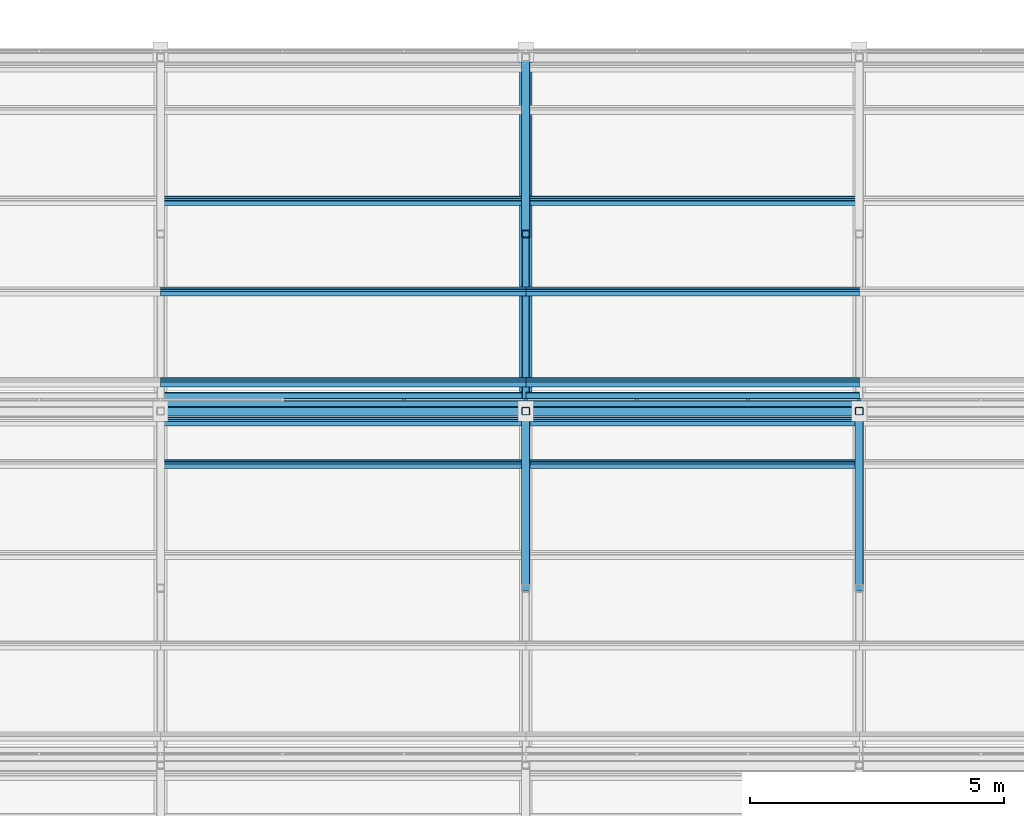
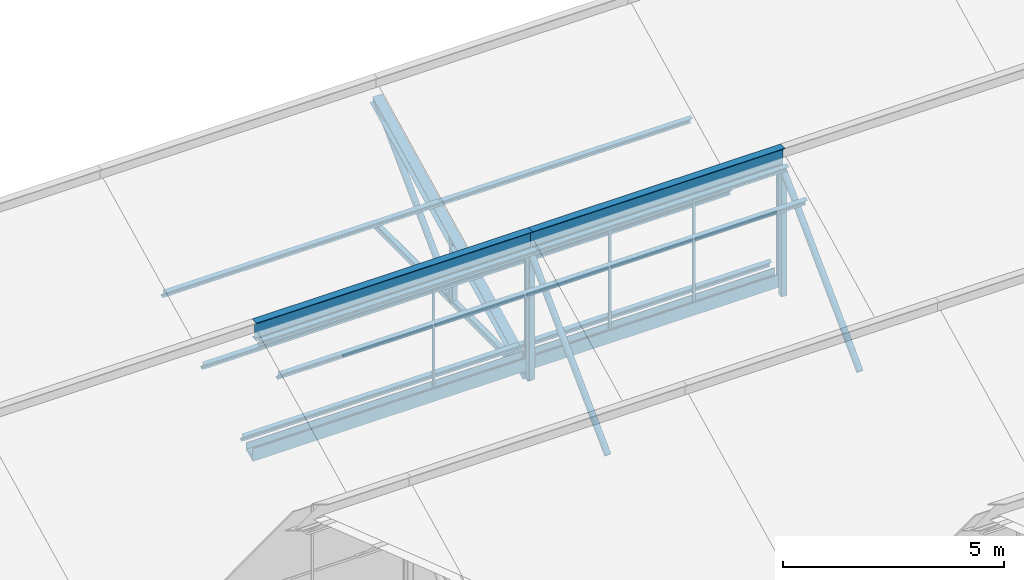
# One storey, part 39 of 83: 32 members, 3 elements without a shape of their own.
"""IFC4 building model written with IfcOpenShell, lengths in metres."""

from ifc_helpers import new_model, si_unit, direction, frame, origin, origin_2d, place, context, subcontext, project, spatial, polyline, rectangle, hollow_rectangle, hollow_circle, i_section, outline, extrude, material, material_profile, profile_set, type_object, element, aggregate, save


model = new_model("IFC4")

# Units and contexts
model_context = context("Model", 3, precision=1e-05, world=origin(), true_north=direction((0.0, 1.0)))
body_context = subcontext(model_context, "Body", "Model", "MODEL_VIEW")
ifc_project = project(units=[si_unit("LENGTHUNIT", "METRE"), si_unit("AREAUNIT", "SQUARE_METRE"), si_unit("VOLUMEUNIT", "CUBIC_METRE"), si_unit("PLANEANGLEUNIT", "RADIAN"), si_unit("MASSUNIT", "GRAM", prefix="KILO")], contexts=[model_context])

# Site, building, storey
site_placement = place(None, origin())
site = spatial("IfcSite", under=ifc_project, at=site_placement, CompositionType="ELEMENT")
building_placement = place(site_placement, origin())
building = spatial("IfcBuilding", under=site, at=building_placement, Name="Silangan Lancet Faculty of Sciences", CompositionType="ELEMENT")
storey_placement = place(building_placement, frame((0.0, 0.0, 11.39990234375)))
storey = spatial("IfcBuildingStorey", under=building, at=storey_placement, Name="L02", CompositionType="ELEMENT", Elevation=11.39990234375)

# Members
ifc_material_1 = material(Name="Steel SS400", Category="steel")
ifc_material_profile_1 = material_profile(ifc_material_1, i_section(OverallWidth=0.199951171875, OverallDepth=0.5, WebThickness=0.010009765625, FlangeThickness=0.01611328125, FilletRadius=0.02001953125, at=origin_2d()), Name="H 500x200x10x16")
ifc_profile_set_1 = profile_set([ifc_material_profile_1], Name="Steel SS400")
member_type_1 = type_object("IfcMemberType", Name="Exposed ridge beam H 500x200x10x16", PredefinedType="MEMBER", material=ifc_profile_set_1)
member_1_placement = place(storey_placement, frame((43.824951171875, 50.38818359375, 3.942626953125), z_axis=(1.0, 0.0, 0.0), x_axis=(0.0, 1.0, 0.0)))
element("IfcMember", 1, at=member_1_placement, inside=storey, type_object=member_type_1, Name="Exposed ridge beam NAB-2-3", PredefinedType="MEMBER", context=body_context, shape_type="SweptSolid", body=[
    extrude(i_section(OverallWidth=0.199951171875, OverallDepth=0.5, WebThickness=0.010009765625, FlangeThickness=0.01611328125, FilletRadius=0.02001953125, at=origin_2d()), origin(), (0.0, 0.0, 1.0), 7.199951171875),
])
member_2_placement = place(storey_placement, frame((51.02490234375, 50.38818359375, 3.942626953125), z_axis=(1.0, 0.0, 0.0), x_axis=(0.0, 1.0, 0.0)))
element("IfcMember", 2, at=member_2_placement, inside=storey, type_object=member_type_1, Name="Exposed ridge beam NAB-2-4", PredefinedType="MEMBER", context=body_context, shape_type="SweptSolid", body=[
    extrude(i_section(OverallWidth=0.199951171875, OverallDepth=0.5, WebThickness=0.010009765625, FlangeThickness=0.01611328125, FilletRadius=0.02001953125, at=origin_2d()), origin(), (0.0, 0.0, 1.0), 6.5751953125),
])

# Curtain wall, member
ifc_material_2 = material(Name="Aluminium and laminated glass", Category="aluminium")
curtain_wall_type = type_object("IfcCurtainWallType", Name="North light glazing system", PredefinedType="NOTDEFINED", material=ifc_material_2)
curtain_wall_1_placement = place(storey_placement, origin())
curtain_wall_1 = element("IfcCurtainWall", 3, at=curtain_wall_1_placement, inside=storey, type_object=curtain_wall_type, Name="North light glazing NAB-2-3", PredefinedType="NOTDEFINED")
ifc_material_3 = material(Name="Aluminium 6063-T6", Category="aluminium")
ifc_material_profile_2 = material_profile(ifc_material_3, rectangle(XDim=0.06005859375, YDim=0.050048828125, at=origin_2d()), Name="AL 60x50")
ifc_profile_set_2 = profile_set([ifc_material_profile_2], Name="Aluminium 6063-T6")
member_type_2 = type_object("IfcMemberType", Name="North light mullion 60x50", PredefinedType="MULLION", material=ifc_profile_set_2)
member_3_placement = place(storey_placement, frame((48.625, 50.61328125, 0.4423828125), z_axis=(0.0, 0.0, 1.0), x_axis=(1.0, 0.0, 0.0)))
member_3 = element("IfcMember", 4, at=member_3_placement, type_object=member_type_2, Name="North light mullion NAB-2-3 3", PredefinedType="MULLION", context=body_context, shape_type="SweptSolid", body=[
    extrude(rectangle(XDim=0.06005859375, YDim=0.050048828125, at=origin_2d()), origin(), (0.0, 0.0, 1.0), 3.60595703125),
])

# Curtain wall, members
curtain_wall_2_placement = place(storey_placement, origin())
curtain_wall_2 = element("IfcCurtainWall", 5, at=curtain_wall_2_placement, inside=storey, type_object=curtain_wall_type, Name="North light glazing NAB-2-4", PredefinedType="NOTDEFINED")
member_4_placement = place(storey_placement, frame((51.02490234375, 50.61328125, 0.4423828125), z_axis=(0.0, 0.0, 1.0), x_axis=(1.0, 0.0, 0.0)))
member_4 = element("IfcMember", 6, at=member_4_placement, type_object=member_type_2, Name="North light mullion NAB-2-4 1", PredefinedType="MULLION", context=body_context, shape_type="SweptSolid", body=[
    extrude(rectangle(XDim=0.06005859375, YDim=0.050048828125, at=origin_2d()), origin(), (0.0, 0.0, 1.0), 3.60595703125),
])
member_5_placement = place(storey_placement, frame((53.216796875, 50.61328125, 0.4423828125), z_axis=(0.0, 0.0, 1.0), x_axis=(1.0, 0.0, 0.0)))
member_5 = element("IfcMember", 7, at=member_5_placement, type_object=member_type_2, Name="North light mullion NAB-2-4 2", PredefinedType="MULLION", context=body_context, shape_type="SweptSolid", body=[
    extrude(rectangle(XDim=0.06005859375, YDim=0.050048828125, at=origin_2d()), origin(), (0.0, 0.0, 1.0), 3.60595703125),
])
member_6_placement = place(storey_placement, frame((55.408203125, 50.61328125, 0.4423828125), z_axis=(0.0, 0.0, 1.0), x_axis=(1.0, 0.0, 0.0)))
member_6 = element("IfcMember", 8, at=member_6_placement, type_object=member_type_2, Name="North light mullion NAB-2-4 3", PredefinedType="MULLION", context=body_context, shape_type="SweptSolid", body=[
    extrude(rectangle(XDim=0.06005859375, YDim=0.050048828125, at=origin_2d()), origin(), (0.0, 0.0, 1.0), 3.60595703125),
])

# Curtain wall, member
curtain_wall_3_placement = place(storey_placement, origin())
curtain_wall_3 = element("IfcCurtainWall", 9, at=curtain_wall_3_placement, inside=storey, type_object=curtain_wall_type, Name="North light glazing NAB-2-5", PredefinedType="NOTDEFINED")
member_7_placement = place(storey_placement, frame((57.60009765625, 50.61328125, 0.4423828125), z_axis=(0.0, 0.0, 1.0), x_axis=(1.0, 0.0, 0.0)))
member_7 = element("IfcMember", 10, at=member_7_placement, type_object=member_type_2, Name="North light mullion NAB-2-5 1", PredefinedType="MULLION", context=body_context, shape_type="SweptSolid", body=[
    extrude(rectangle(XDim=0.06005859375, YDim=0.050048828125, at=origin_2d()), origin(), (0.0, 0.0, 1.0), 3.60595703125),
])
aggregate(curtain_wall_3, [member_7])

# Member
ifc_material_4 = material(Name="Aluminium 6063-T6", Category="aluminium")
ifc_material_profile_3 = material_profile(ifc_material_4, rectangle(XDim=0.050048828125, YDim=0.06005859375, at=origin_2d()), Name="AL 50x60")
ifc_profile_set_3 = profile_set([ifc_material_profile_3], Name="Aluminium 6063-T6")
member_type_3 = type_object("IfcMemberType", Name="North light transom 50x60", PredefinedType="USERDEFINED", material=ifc_profile_set_3)
member_8_placement = place(storey_placement, frame((46.2548828125, 50.61328125, 2.245361328125), z_axis=(1.0, 0.0, 0.0), x_axis=(0.0, 1.0, 0.0)))
member_8 = element("IfcMember", 11, at=member_8_placement, type_object=member_type_3, Name="North light transom NAB-2-3 2", ObjectType="TRANSOM", PredefinedType="USERDEFINED", context=body_context, shape_type="SweptSolid", body=[
    extrude(rectangle(XDim=0.050048828125, YDim=0.06005859375, at=origin_2d()), origin(), (0.0, 0.0, 1.0), 2.340087890625),
])

member_9_placement = place(storey_placement, frame((48.655029296875, 50.61328125, 2.245361328125), z_axis=(1.0, 0.0, 0.0), x_axis=(0.0, 1.0, 0.0)))
member_9 = element("IfcMember", 12, at=member_9_placement, type_object=member_type_3, Name="North light transom NAB-2-3 3", ObjectType="TRANSOM", PredefinedType="USERDEFINED", context=body_context, shape_type="SweptSolid", body=[
    extrude(rectangle(XDim=0.050048828125, YDim=0.06005859375, at=origin_2d()), origin(), (0.0, 0.0, 1.0), 2.340087890625),
])

aggregate(curtain_wall_1, [member_3, member_8, member_9])

member_10_placement = place(storey_placement, frame((51.054931640625, 50.61328125, 2.245361328125), z_axis=(1.0, 0.0, 0.0), x_axis=(0.0, 1.0, 0.0)))
member_10 = element("IfcMember", 13, at=member_10_placement, type_object=member_type_3, Name="North light transom NAB-2-4 1", ObjectType="TRANSOM", PredefinedType="USERDEFINED", context=body_context, shape_type="SweptSolid", body=[
    extrude(rectangle(XDim=0.050048828125, YDim=0.06005859375, at=origin_2d()), origin(), (0.0, 0.0, 1.0), 2.1318359375),
])

member_11_placement = place(storey_placement, frame((53.24658203125, 50.61328125, 2.245361328125), z_axis=(1.0, 0.0, 0.0), x_axis=(0.0, 1.0, 0.0)))
member_11 = element("IfcMember", 14, at=member_11_placement, type_object=member_type_3, Name="North light transom NAB-2-4 2", ObjectType="TRANSOM", PredefinedType="USERDEFINED", context=body_context, shape_type="SweptSolid", body=[
    extrude(rectangle(XDim=0.050048828125, YDim=0.06005859375, at=origin_2d()), origin(), (0.0, 0.0, 1.0), 2.1318359375),
])

member_12_placement = place(storey_placement, frame((55.438232421875, 50.61328125, 2.245361328125), z_axis=(1.0, 0.0, 0.0), x_axis=(0.0, 1.0, 0.0)))
member_12 = element("IfcMember", 15, at=member_12_placement, type_object=member_type_3, Name="North light transom NAB-2-4 3", ObjectType="TRANSOM", PredefinedType="USERDEFINED", context=body_context, shape_type="SweptSolid", body=[
    extrude(rectangle(XDim=0.050048828125, YDim=0.06005859375, at=origin_2d()), origin(), (0.0, 0.0, 1.0), 2.1318359375),
])

aggregate(curtain_wall_2, [member_4, member_5, member_6, member_10, member_11, member_12])

# Members
ifc_material_5 = material(Name="Steel SS400", Category="steel")
ifc_material_profile_4 = material_profile(ifc_material_5, i_section(OverallWidth=0.10009765625, OverallDepth=0.199951171875, WebThickness=0.005615234375, FlangeThickness=0.008056640625, FilletRadius=0.008056640625, at=origin_2d()), Name="H 200x100x5.5x8")
ifc_profile_set_4 = profile_set([ifc_material_profile_4], Name="Steel SS400")
member_type_4 = type_object("IfcMemberType", Name="Sheeting purlin H 200x100x5.5x8", PredefinedType="PURLIN", material=ifc_profile_set_4)
for number, where, z_axis, x_axis, name in (
    (16, (43.824951171875, 49.343505859375, 3.31494140625), (1.0, 0.0, 0.0), (0.0, 0.894427192382, 0.447213592736), "Sheeting purlin NAB-2-3 4"),
    (17, (43.824951171875, 50.180419921875, 3.7333984375), (1.0, 0.0, 0.0), (0.0, 0.894427192382, 0.447213592736), "Sheeting purlin NAB-2-3 5"),
    (18, (43.824951171875, 50.95849609375, 0.6318359375), (1.0, 0.0, 0.0), (0.0, 0.894427192382, 0.447213592736), "Sheeting purlin NAB-3-3 1"),
    (19, (43.824951171875, 52.747314453125, 1.526123046875), (1.0, 0.0, 0.0), (0.0, 0.894427192382, 0.447213592736), "Sheeting purlin NAB-3-3 2"),
    (20, (43.824951171875, 54.5361328125, 2.420654296875), (1.0, 0.0, 0.0), (0.0, 0.894427192382, 0.447213592736), "Sheeting purlin NAB-3-3 3"),
):
    element("IfcMember", number, at=place(storey_placement, frame(where, z_axis=z_axis, x_axis=x_axis)), inside=storey, type_object=member_type_4, Name=name, PredefinedType="PURLIN", context=body_context, shape_type="SweptSolid", body=[
        extrude(i_section(OverallWidth=0.10009765625, OverallDepth=0.199951171875, WebThickness=0.005615234375, FlangeThickness=0.008056640625, FilletRadius=0.008056640625, at=origin_2d()), origin(), (0.0, 0.0, 1.0), 7.199951171875),
    ])
for number, where, z_axis, x_axis, name in (
    (21, (51.02490234375, 49.343505859375, 3.31494140625), (1.0, 0.0, 0.0), (0.0, 0.894427192382, 0.447213592736), "Sheeting purlin NAB-2-4 4"),
    (22, (51.02490234375, 50.180419921875, 3.7333984375), (1.0, 0.0, 0.0), (0.0, 0.894427192382, 0.447213592736), "Sheeting purlin NAB-2-4 5"),
    (23, (51.02490234375, 50.95849609375, 0.6318359375), (1.0, 0.0, 0.0), (0.0, 0.894427192382, 0.447213592736), "Sheeting purlin NAB-3-4 1"),
    (24, (51.02490234375, 52.747314453125, 1.526123046875), (1.0, 0.0, 0.0), (0.0, 0.894427192382, 0.447213592736), "Sheeting purlin NAB-3-4 2"),
    (25, (51.02490234375, 54.5361328125, 2.420654296875), (1.0, 0.0, 0.0), (0.0, 0.894427192382, 0.447213592736), "Sheeting purlin NAB-3-4 3"),
):
    element("IfcMember", number, at=place(storey_placement, frame(where, z_axis=z_axis, x_axis=x_axis)), inside=storey, type_object=member_type_4, Name=name, PredefinedType="PURLIN", context=body_context, shape_type="SweptSolid", body=[
        extrude(i_section(OverallWidth=0.10009765625, OverallDepth=0.199951171875, WebThickness=0.005615234375, FlangeThickness=0.008056640625, FilletRadius=0.008056640625, at=origin_2d()), origin(), (0.0, 0.0, 1.0), 6.5751953125),
    ])
ifc_material_6 = material(Name="Steel STKR400", Category="steel")
ifc_material_profile_5 = material_profile(ifc_material_6, hollow_rectangle(XDim=0.14990234375, YDim=0.14990234375, WallThickness=0.009033203125, InnerFilletRadius=0.009033203125, OuterFilletRadius=0.01806640625, at=origin_2d()), Name="SHS 150x150x9.0")
ifc_profile_set_5 = profile_set([ifc_material_profile_5], Name="Steel STKR400")
member_type_5 = type_object("IfcMemberType", Name="Truss bottom chord SHS 150x150x9.0", PredefinedType="CHORD", material=ifc_profile_set_5)
member_13_placement = place(storey_placement, frame((51.02490234375, 50.38818359375, 0.09521484375), z_axis=(0.0, 1.0, 0.0), x_axis=(-1.0, 0.0, 0.0)))
element("IfcMember", 26, at=member_13_placement, inside=storey, type_object=member_type_5, Name="Truss 4 bottom chord 3", PredefinedType="CHORD", context=body_context, shape_type="SweptSolid", body=[
    extrude(hollow_rectangle(XDim=0.14990234375, YDim=0.14990234375, WallThickness=0.009033203125, InnerFilletRadius=0.009033203125, OuterFilletRadius=0.01806640625, at=origin_2d()), origin(), (0.0, 0.0, 1.0), 6.98193359375),
])
ifc_material_7 = material(Name="Steel STK400", Category="steel")
ifc_material_profile_6 = material_profile(ifc_material_7, hollow_circle(Radius=0.08251953125, WallThickness=0.0048828125, at=origin_2d()), Name="CHS 165.2x5.0")
ifc_profile_set_6 = profile_set([ifc_material_profile_6], Name="Steel STK400")
member_type_6 = type_object("IfcMemberType", Name="Truss diagonal CHS 165.2x5.0", PredefinedType="BRACE", material=ifc_profile_set_6)
member_14_placement = place(storey_placement, frame((51.02490234375, 46.8974609375, 0.09521484375), z_axis=(0.0, 0.707106781187, 0.707106781187), x_axis=(-1.0, 0.0, 0.0)))
element("IfcMember", 27, at=member_14_placement, inside=storey, type_object=member_type_6, Name="Truss 4 diagonal 2", PredefinedType="BRACE", context=body_context, shape_type="SweptSolid", body=[
    extrude(hollow_circle(Radius=0.08251953125, WallThickness=0.0048828125, at=origin_2d()), origin(), (0.0, 0.0, 1.0), 4.9365234375),
])
member_15_placement = place(storey_placement, frame((51.02490234375, 53.879150390625, 0.09521484375), z_axis=(0.0, 0.707131507361, 0.707082054147), x_axis=(-1.0, 0.0, 0.0)))
element("IfcMember", 28, at=member_15_placement, inside=storey, type_object=member_type_6, Name="Truss 4 diagonal 3", PredefinedType="BRACE", context=body_context, shape_type="SweptSolid", body=[
    extrude(hollow_circle(Radius=0.08251953125, WallThickness=0.0048828125, at=origin_2d()), origin(), (0.0, 0.0, 1.0), 4.936767578125),
])
member_16_placement = place(storey_placement, frame((57.60009765625, 46.8974609375, 0.09521484375), z_axis=(0.0, 0.707106781187, 0.707106781187), x_axis=(-1.0, 0.0, 0.0)))
element("IfcMember", 29, at=member_16_placement, inside=storey, type_object=member_type_6, Name="Truss 5 diagonal 2", PredefinedType="BRACE", context=body_context, shape_type="SweptSolid", body=[
    extrude(hollow_circle(Radius=0.08251953125, WallThickness=0.0048828125, at=origin_2d()), origin(), (0.0, 0.0, 1.0), 4.9365234375),
])
ifc_material_8 = material(Name="Steel STKR400", Category="steel")
ifc_material_profile_7 = material_profile(ifc_material_8, hollow_rectangle(XDim=0.14990234375, YDim=0.14990234375, WallThickness=0.006103515625, InnerFilletRadius=0.006103515625, OuterFilletRadius=0.011962890625, at=origin_2d()), Name="SHS 150x150x6.0")
ifc_profile_set_7 = profile_set([ifc_material_profile_7], Name="Steel STKR400")
member_type_7 = type_object("IfcMemberType", Name="Truss post SHS 150x150x6.0", PredefinedType="POST", material=ifc_profile_set_7)
member_17_placement = place(storey_placement, frame((51.02490234375, 50.38818359375, 0.09521484375), z_axis=(0.0, 0.0, 1.0), x_axis=(1.0, 0.0, 0.0)))
element("IfcMember", 30, at=member_17_placement, inside=storey, type_object=member_type_7, Name="Truss 4 riser post 2", PredefinedType="POST", context=body_context, shape_type="SweptSolid", body=[
    extrude(hollow_rectangle(XDim=0.14990234375, YDim=0.14990234375, WallThickness=0.006103515625, InnerFilletRadius=0.006103515625, OuterFilletRadius=0.011962890625, at=origin_2d()), origin(), (0.0, 0.0, 1.0), 3.49072265625),
])
member_18_placement = place(storey_placement, frame((51.02490234375, 53.879150390625, 0.09521484375), z_axis=(0.0, 0.0, 1.0), x_axis=(1.0, 0.0, 0.0)))
element("IfcMember", 31, at=member_18_placement, inside=storey, type_object=member_type_7, Name="Truss 4 mid post 3", PredefinedType="POST", context=body_context, shape_type="SweptSolid", body=[
    extrude(hollow_rectangle(XDim=0.14990234375, YDim=0.14990234375, WallThickness=0.006103515625, InnerFilletRadius=0.006103515625, OuterFilletRadius=0.011962890625, at=origin_2d()), origin(), (0.0, 0.0, 1.0), 1.745361328125),
])
member_19_placement = place(storey_placement, frame((57.60009765625, 50.38818359375, 0.09521484375), z_axis=(0.0, 0.0, 1.0), x_axis=(1.0, 0.0, 0.0)))
element("IfcMember", 32, at=member_19_placement, inside=storey, type_object=member_type_7, Name="Truss 5 riser post 2", PredefinedType="POST", context=body_context, shape_type="SweptSolid", body=[
    extrude(hollow_rectangle(XDim=0.14990234375, YDim=0.14990234375, WallThickness=0.006103515625, InnerFilletRadius=0.006103515625, OuterFilletRadius=0.011962890625, at=origin_2d()), origin(), (0.0, 0.0, 1.0), 3.49072265625),
])
ifc_material_9 = material(Name="Steel SS400", Category="steel")
ifc_material_profile_8 = material_profile(ifc_material_9, i_section(OverallWidth=0.25, OverallDepth=0.25, WebThickness=0.009033203125, FlangeThickness=0.013916015625, FilletRadius=0.01611328125, at=origin_2d()), Name="H 250x250x9x14")
ifc_profile_set_8 = profile_set([ifc_material_profile_8], Name="Steel SS400")
member_type_8 = type_object("IfcMemberType", Name="Truss top chord H 250x250x9x14", PredefinedType="CHORD", material=ifc_profile_set_8)
member_20_placement = place(storey_placement, frame((51.02490234375, 50.46875, 0.13525390625), z_axis=(0.0, 0.894427191, 0.4472135955), x_axis=(-1.0, 0.0, 0.0)))
element("IfcMember", 33, at=member_20_placement, inside=storey, type_object=member_type_8, Name="Truss 4 top chord 3", PredefinedType="CHORD", context=body_context, shape_type="SweptSolid", body=[
    extrude(i_section(OverallWidth=0.25, OverallDepth=0.25, WebThickness=0.009033203125, FlangeThickness=0.013916015625, FilletRadius=0.01611328125, at=origin_2d()), origin(), (0.0, 0.0, 1.0), 7.716064453125),
])
ifc_material_10 = material(Name="Stainless steel", Category="steel")
ifc_material_profile_9 = material_profile(ifc_material_10, outline(polyline([(-0.14990234375, 0.0), (0.14990234375, 0.14990234375), (0.14990234375, 0.35009765625), (0.1298828125, 0.35009765625), (0.1298828125, 0.169921875), (-0.1298828125, 0.169921875), (-0.1298828125, 0.35009765625), (-0.14990234375, 0.35009765625), (-0.14990234375, 0.0)])), Name="valley gutter")
ifc_profile_set_9 = profile_set([ifc_material_profile_9], Name="Stainless steel")
member_type_9 = type_object("IfcMemberType", Name="Valley gutter 300 wide", PredefinedType="USERDEFINED", material=ifc_profile_set_9)
member_21_placement = place(storey_placement, frame((43.824951171875, 50.61328125, 0.2724609375), z_axis=(1.0, 0.0, 0.0), x_axis=(0.0, 1.0, 0.0)))
element("IfcMember", 34, at=member_21_placement, inside=storey, type_object=member_type_9, Name="Valley gutter NAB-3-3", ObjectType="GUTTER", PredefinedType="USERDEFINED", context=body_context, shape_type="SweptSolid", body=[
    extrude(outline(polyline([(-0.14990234375, 0.0), (0.14990234375, 0.14990234375), (0.14990234375, 0.35009765625), (0.1298828125, 0.35009765625), (0.1298828125, 0.169921875), (-0.1298828125, 0.169921875), (-0.1298828125, 0.35009765625), (-0.14990234375, 0.35009765625), (-0.14990234375, 0.0)])), origin(), (0.0, 0.0, 1.0), 7.199951171875),
])
member_22_placement = place(storey_placement, frame((51.02490234375, 50.61328125, 0.2724609375), z_axis=(1.0, 0.0, 0.0), x_axis=(0.0, 1.0, 0.0)))
element("IfcMember", 35, at=member_22_placement, inside=storey, type_object=member_type_9, Name="Valley gutter NAB-3-4", ObjectType="GUTTER", PredefinedType="USERDEFINED", context=body_context, shape_type="SweptSolid", body=[
    extrude(outline(polyline([(-0.14990234375, 0.0), (0.14990234375, 0.14990234375), (0.14990234375, 0.35009765625), (0.1298828125, 0.35009765625), (0.1298828125, 0.169921875), (-0.1298828125, 0.169921875), (-0.1298828125, 0.35009765625), (-0.14990234375, 0.35009765625), (-0.14990234375, 0.0)])), origin(), (0.0, 0.0, 1.0), 6.5751953125),
])

save(model, "model.ifc")
